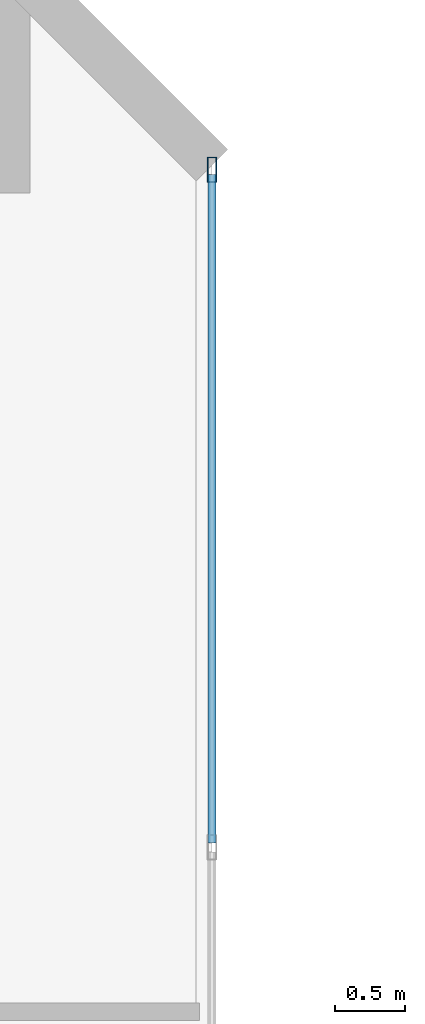
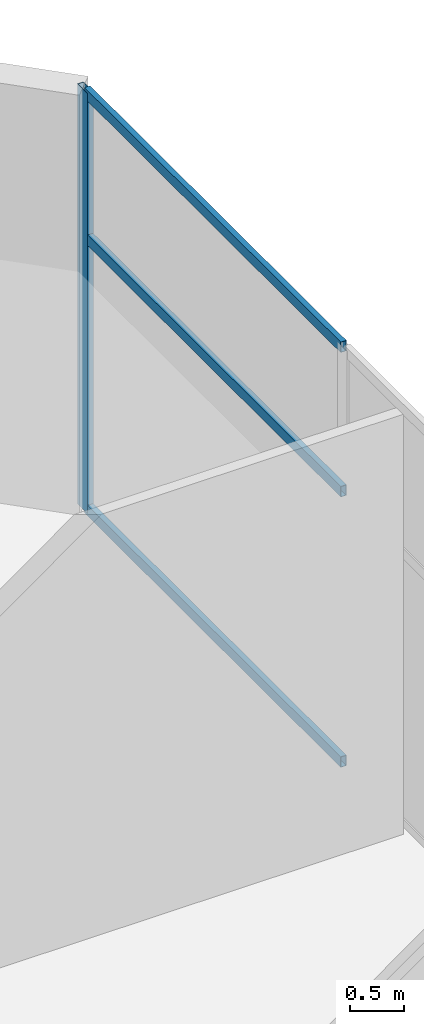
# One storey, part 20 of 29: 4 members, 1 element without a shape of its own.
"""IFC4 building model written with IfcOpenShell, lengths in metres."""

from ifc_helpers import new_model, si_unit, direction, frame, origin, origin_2d, place, context, subcontext, project, spatial, hollow_rectangle, extrude, material, layer, layer_set, material_profile, profile_set, type_object, element, aggregate, save


model = new_model("IFC4")

# Units and contexts
model_context = context("Model", 3, precision=1e-05, world=origin(), true_north=direction((0.0, 1.0)))
body_context = subcontext(model_context, "Body", "Model", "MODEL_VIEW")
ifc_project = project(units=[si_unit("LENGTHUNIT", "METRE"), si_unit("AREAUNIT", "SQUARE_METRE"), si_unit("VOLUMEUNIT", "CUBIC_METRE"), si_unit("PLANEANGLEUNIT", "RADIAN"), si_unit("MASSUNIT", "GRAM", prefix="KILO")], contexts=[model_context])

# Site, building, storey
site_placement = place(None, origin())
site = spatial("IfcSite", under=ifc_project, at=site_placement, CompositionType="ELEMENT")
building_placement = place(site_placement, origin())
building = spatial("IfcBuilding", under=site, at=building_placement, Name="Mawjaban Terraces University", CompositionType="ELEMENT")
storey_placement = place(building_placement, frame((0.0, 0.0, 20.800048828125)))
storey = spatial("IfcBuildingStorey", under=building, at=storey_placement, Name="L04", CompositionType="ELEMENT", Elevation=20.800048828125)

# Curtain wall, members
ifc_material_1 = material(Name="Anodised aluminium 6063-T6 and solar-control low-E glass", Category="aluminium")
ifc_layer = layer(ifc_material_1, 0.175048828125)
ifc_layer_set = layer_set([ifc_layer], Name="Anodised aluminium 6063-T6 and solar-control low-E glass")
curtain_wall_type = type_object("IfcCurtainWallType", Name="CWSystem_02_PodiumLibrary", PredefinedType="NOTDEFINED", material=ifc_layer_set)
curtain_wall_placement = place(storey_placement, origin())
curtain_wall = element("IfcCurtainWall", 1, at=curtain_wall_placement, inside=storey, type_object=curtain_wall_type, Name="L04 Curtain Wall CW-02 Run 6.1", PredefinedType="NOTDEFINED")
ifc_material_2 = material(Name="Anodised aluminium 6063-T6", Category="aluminium")
ifc_material_profile_1 = material_profile(ifc_material_2, hollow_rectangle(XDim=0.06494140625, YDim=0.179931640625, WallThickness=0.00390625, at=origin_2d()), Name="ALU180X65X4")
ifc_profile_set_1 = profile_set([ifc_material_profile_1], Name="Anodised aluminium 6063-T6")
member_type_1 = type_object("IfcMemberType", Name="Mullion_CW-02", PredefinedType="MULLION", material=ifc_profile_set_1)
member_1_placement = place(storey_placement, frame((54.0, 51.467529296875, 0.0), z_axis=(0.0, 0.0, 1.0), x_axis=(-1.0, 0.0, 0.0)))
member_1 = element("IfcMember", 2, at=member_1_placement, type_object=member_type_1, Name="CW-02 mullion 5", PredefinedType="MULLION", context=body_context, shape_type="SweptSolid", body=[
    extrude(hollow_rectangle(XDim=0.06494140625, YDim=0.179931640625, WallThickness=0.00390625, at=origin_2d()), origin(), (0.0, 0.0, 1.0), 4.780029296875),
])
ifc_material_profile_2 = material_profile(ifc_material_2, hollow_rectangle(XDim=0.06005859375, YDim=0.1201171875, WallThickness=0.00341796875, at=origin_2d()), Name="ALU120X60X3.5")
ifc_profile_set_2 = profile_set([ifc_material_profile_2], Name="Anodised aluminium 6063-T6")
member_type_2 = type_object("IfcMemberType", Name="Transom_CW-02", PredefinedType="NOTDEFINED", material=ifc_profile_set_2)
member_2_placement = place(storey_placement, frame((54.0, 46.657470703125, 0.030029296875), z_axis=(0.0, 1.0, 0.0), x_axis=(-1.0, 0.0, 0.0)))
member_2 = element("IfcMember", 3, at=member_2_placement, type_object=member_type_2, Name="CW-02 transom 4.1", ObjectType="TRANSOM", PredefinedType="USERDEFINED", context=body_context, shape_type="SweptSolid", body=[
    extrude(hollow_rectangle(XDim=0.06005859375, YDim=0.1201171875, WallThickness=0.00341796875, at=origin_2d()), origin(), (0.0, 0.0, 1.0), 4.777587890625),
])
member_3_placement = place(storey_placement, frame((54.0, 46.657470703125, 3.10693359375), z_axis=(0.0, 1.0, 0.0), x_axis=(-1.0, 0.0, 0.0)))
member_3 = element("IfcMember", 4, at=member_3_placement, type_object=member_type_2, Name="CW-02 transom 4.2", ObjectType="TRANSOM", PredefinedType="USERDEFINED", context=body_context, shape_type="SweptSolid", body=[
    extrude(hollow_rectangle(XDim=0.06005859375, YDim=0.1201171875, WallThickness=0.00341796875, at=origin_2d()), origin(), (0.0, 0.0, 1.0), 4.777587890625),
])
member_4_placement = place(storey_placement, frame((54.0, 46.657470703125, 4.75), z_axis=(0.0, 1.0, 0.0), x_axis=(-1.0, 0.0, 0.0)))
member_4 = element("IfcMember", 5, at=member_4_placement, type_object=member_type_2, Name="CW-02 transom 4.3", ObjectType="TRANSOM", PredefinedType="USERDEFINED", context=body_context, shape_type="SweptSolid", body=[
    extrude(hollow_rectangle(XDim=0.06005859375, YDim=0.1201171875, WallThickness=0.00341796875, at=origin_2d()), origin(), (0.0, 0.0, 1.0), 4.777587890625),
])
aggregate(curtain_wall, [member_1, member_2, member_3, member_4])

save(model, "model.ifc")
